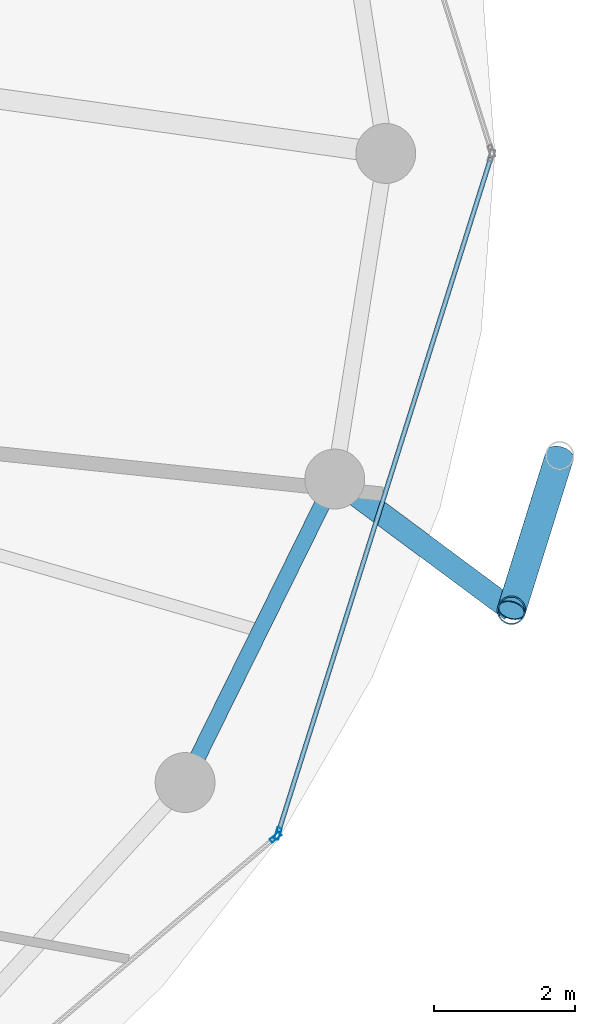
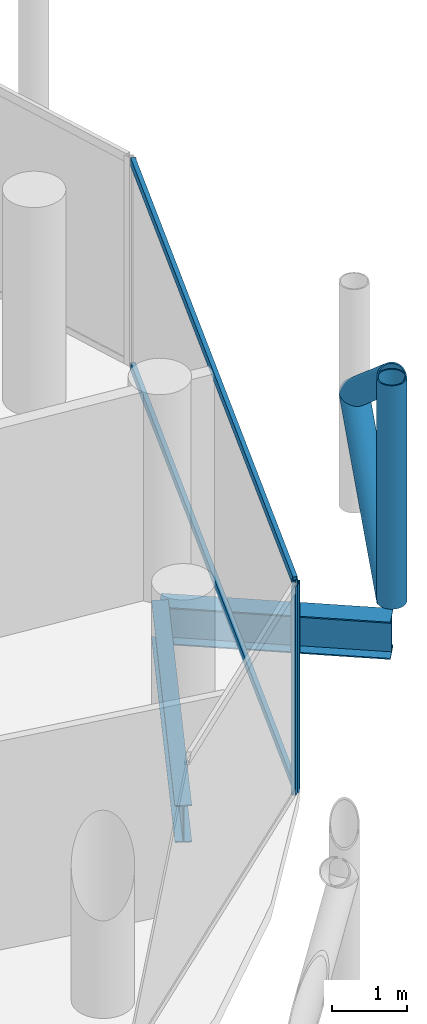
# One storey, part 13 of 27: 7 members, 2 beams, 2 elements without a shape of their own.
"""IFC4 building model written with IfcOpenShell, lengths in metres."""

from ifc_helpers import new_model, si_unit, direction, frame, origin, origin_2d, place, context, subcontext, project, spatial, hollow_rectangle, hollow_circle, i_section, extrude, material, layer, layer_set, material_profile, profile_set, type_object, element, aggregate, save


model = new_model("IFC4")

# Units and contexts
model_context = context("Model", 3, precision=1e-05, world=origin(), true_north=direction((0.0, 1.0)))
body_context = subcontext(model_context, "Body", "Model", "MODEL_VIEW")
ifc_project = project(units=[si_unit("LENGTHUNIT", "METRE"), si_unit("AREAUNIT", "SQUARE_METRE"), si_unit("VOLUMEUNIT", "CUBIC_METRE"), si_unit("PLANEANGLEUNIT", "RADIAN"), si_unit("MASSUNIT", "GRAM", prefix="KILO")], contexts=[model_context])

# Site, building, storey
site_placement = place(None, origin())
site = spatial("IfcSite", under=ifc_project, at=site_placement, CompositionType="ELEMENT")
building_placement = place(site_placement, origin())
building = spatial("IfcBuilding", under=site, at=building_placement, Name="Nuhasar Tower", CompositionType="ELEMENT")
storey_placement = place(building_placement, frame((0.0, 0.0, 241.0)))
storey = spatial("IfcBuildingStorey", under=building, at=storey_placement, Name="L59", CompositionType="ELEMENT", Elevation=241.0)

# Beams
ifc_material_1 = material(Name="Steel S355", Category="steel")
ifc_material_profile_1 = material_profile(ifc_material_1, i_section(OverallWidth=0.22802734375, OverallDepth=0.60791015625, WebThickness=0.01123046875, FlangeThickness=0.017333984375, at=origin_2d()), Name="W24X76")
ifc_profile_set_1 = profile_set([ifc_material_profile_1], Name="Steel S355")
beam_type_1 = type_object("IfcBeamType", Name="BM-RING-W24X76", PredefinedType="SPANDREL", material=ifc_profile_set_1)
beam_1_placement = place(storey_placement, frame((57.403076171875, 17.875, -0.5439453125), z_axis=(0.442262779282, 0.896885518928, 0.0), x_axis=(-0.896885518928, 0.442262779282, 0.0)))
element("IfcBeam", 1, at=beam_1_placement, inside=storey, type_object=beam_type_1, Name="L59 Perimeter Ring Spandrel 23", PredefinedType="SPANDREL", context=body_context, shape_type="SweptSolid", body=[
    extrude(i_section(OverallWidth=0.22802734375, OverallDepth=0.60791015625, WebThickness=0.01123046875, FlangeThickness=0.017333984375, at=origin_2d()), origin(), (0.0, 0.0, 1.0), 4.7998046875),
])
ifc_material_profile_2 = material_profile(ifc_material_1, i_section(OverallWidth=0.323974609375, OverallDepth=0.611083984375, WebThickness=0.0126953125, FlangeThickness=0.01904296875, at=origin_2d()), Name="W24X104")
ifc_profile_set_2 = profile_set([ifc_material_profile_2], Name="Steel S355")
beam_type_2 = type_object("IfcBeamType", Name="BM-TIE-W24X104", PredefinedType="BEAM", material=ifc_profile_set_2)
beam_2_placement = place(storey_placement, frame((59.52587890625, 22.179931640625, -0.5458984375), z_axis=(0.802983345014, -0.596001466131, 0.0), x_axis=(0.596001466131, 0.802983345014, 0.0)))
element("IfcBeam", 2, at=beam_2_placement, inside=storey, type_object=beam_type_2, Name="L59 Exoskeleton Node Tie Beam 12", PredefinedType="BEAM", context=body_context, shape_type="SweptSolid", body=[
    extrude(i_section(OverallWidth=0.323974609375, OverallDepth=0.611083984375, WebThickness=0.0126953125, FlangeThickness=0.01904296875, at=origin_2d()), origin(), (0.0, 0.0, 1.0), 3.122314453125),
])

# Curtain wall, member
ifc_material_2 = material(Name="Aluminium 6063-T6", Category="aluminium")
ifc_layer = layer(ifc_material_2, 0.18994140625)
ifc_layer_set = layer_set([ifc_layer], Name="Aluminium 6063-T6")
curtain_wall_type = type_object("IfcCurtainWallType", Name="CW-Z3-RES", PredefinedType="NOTDEFINED", material=ifc_layer_set)
curtain_wall_1_placement = place(storey_placement, origin())
curtain_wall_1 = element("IfcCurtainWall", 3, at=curtain_wall_1_placement, inside=storey, type_object=curtain_wall_type, Name="L59 Unitised Curtain Wall 11", PredefinedType="NOTDEFINED")
ifc_material_profile_3 = material_profile(ifc_material_2, hollow_rectangle(XDim=0.06494140625, YDim=0.169921875, WallThickness=0.0048828125, at=origin_2d()), Name="CWM-4")
ifc_profile_set_3 = profile_set([ifc_material_profile_3], Name="Aluminium 6063-T6")
member_type_1 = type_object("IfcMemberType", Name="CW-MUL-S4", PredefinedType="MULLION", material=ifc_profile_set_3)
member_1_placement = place(storey_placement, frame((58.686279296875, 17.098876953125, 0.0), z_axis=(0.0, 0.0, 1.0), x_axis=(-0.64789521578, 0.761729472562, 0.0)))
member_1 = element("IfcMember", 4, at=member_1_placement, type_object=member_type_1, Name="CW-Z3 mullion 2", PredefinedType="MULLION", context=body_context, shape_type="SweptSolid", body=[
    extrude(hollow_rectangle(XDim=0.06494140625, YDim=0.169921875, WallThickness=0.0048828125, at=origin_2d()), origin(), (0.0, 0.0, 1.0), 3.409912109375),
])
aggregate(curtain_wall_1, [member_1])

# Curtain wall, members
curtain_wall_2_placement = place(storey_placement, origin())
curtain_wall_2 = element("IfcCurtainWall", 5, at=curtain_wall_2_placement, inside=storey, type_object=curtain_wall_type, Name="L59 Unitised Curtain Wall 12", PredefinedType="NOTDEFINED")
member_2_placement = place(storey_placement, frame((58.720703125, 17.15087890625, 0.0), z_axis=(0.0, 0.0, 1.0), x_axis=(-0.95380429279, 0.30042864553, 0.0)))
member_2 = element("IfcMember", 6, at=member_2_placement, type_object=member_type_1, Name="CW-Z3 mullion 1", PredefinedType="MULLION", context=body_context, shape_type="SweptSolid", body=[
    extrude(hollow_rectangle(XDim=0.06494140625, YDim=0.169921875, WallThickness=0.0048828125, at=origin_2d()), origin(), (0.0, 0.0, 1.0), 3.409912109375),
])
ifc_material_profile_4 = material_profile(ifc_material_2, hollow_rectangle(XDim=0.06494140625, YDim=0.139892578125, WallThickness=0.00439453125, at=origin_2d()), Name="CWT-4")
ifc_profile_set_4 = profile_set([ifc_material_profile_4], Name="Aluminium 6063-T6")
member_type_2 = type_object("IfcMemberType", Name="CW-TRN-S4", PredefinedType="USERDEFINED", material=ifc_profile_set_4)
member_3_placement = place(storey_placement, frame((58.73046875, 17.181884765625, 0.032470703125), z_axis=(0.300430390604, 0.953803743126, 0.0), x_axis=(-0.953803743126, 0.300430390604, 0.0)))
member_3 = element("IfcMember", 7, at=member_3_placement, type_object=member_type_2, Name="CW-Z3 transom 1.1", ObjectType="TRANSOM", PredefinedType="USERDEFINED", context=body_context, shape_type="SweptSolid", body=[
    extrude(hollow_rectangle(XDim=0.06494140625, YDim=0.139892578125, WallThickness=0.00439453125, at=origin_2d()), origin(), (0.0, 0.0, 1.0), 10.01904296875),
])
member_4_placement = place(storey_placement, frame((58.73046875, 17.181884765625, 3.37744140625), z_axis=(0.300430390604, 0.953803743126, 0.0), x_axis=(-0.953803743126, 0.300430390604, 0.0)))
member_4 = element("IfcMember", 8, at=member_4_placement, type_object=member_type_2, Name="CW-Z3 transom 1.2", ObjectType="TRANSOM", PredefinedType="USERDEFINED", context=body_context, shape_type="SweptSolid", body=[
    extrude(hollow_rectangle(XDim=0.06494140625, YDim=0.139892578125, WallThickness=0.00439453125, at=origin_2d()), origin(), (0.0, 0.0, 1.0), 10.01904296875),
])
aggregate(curtain_wall_2, [member_2, member_3, member_4])

# Members
ifc_material_3 = material(Name="Steel S460", Category="steel")
ifc_material_profile_5 = material_profile(ifc_material_3, hollow_circle(Radius=0.203125, WallThickness=0.01904296875, at=origin_2d()), Name="HSS406.4X19.1")
ifc_profile_set_5 = profile_set([ifc_material_profile_5], Name="Steel S460")
member_type_3 = type_object("IfcMemberType", Name="EXO-BRONZE-406", PredefinedType="BRACE", material=ifc_profile_set_5)
member_5_placement = place(storey_placement, frame((62.032958984375, 20.319091796875, 0.0), z_axis=(0.0, 0.0, 1.0), x_axis=(1.0, 0.0, 0.0)))
element("IfcMember", 9, at=member_5_placement, inside=storey, type_object=member_type_3, Name="L59 Exoskeleton Chord Column EC-12A", PredefinedType="BRACE", context=body_context, shape_type="SweptSolid", body=[
    extrude(hollow_circle(Radius=0.203125, WallThickness=0.01904296875, at=origin_2d()), origin(), (0.0, 0.0, 1.0), 3.64990234375),
])
for number, where, z_axis, x_axis, name in (
    (10, (62.032958984375, 20.319091796875, 0.0), (0.233372423355, 0.747689980743, 0.621688832709), (-0.954581948223, 0.297948492404, 0.0), "L59 Bronze Diagrid Brace W1-12"),
    (11, (62.718017578125, 22.513916015625, 1.824951171875), (-0.233372423355, -0.747689980743, 0.621688832709), (0.954581948223, -0.297948492404, 0.0), "L59 Bronze Diagrid Brace W2-12"),
):
    element("IfcMember", number, at=place(storey_placement, frame(where, z_axis=z_axis, x_axis=x_axis)), inside=storey, type_object=member_type_3, Name=name, PredefinedType="BRACE", context=body_context, shape_type="SweptSolid", body=[
        extrude(hollow_circle(Radius=0.203125, WallThickness=0.01904296875, at=origin_2d()), origin(), (0.0, 0.0, 1.0), 2.935546875),
    ])

save(model, "model.ifc")
